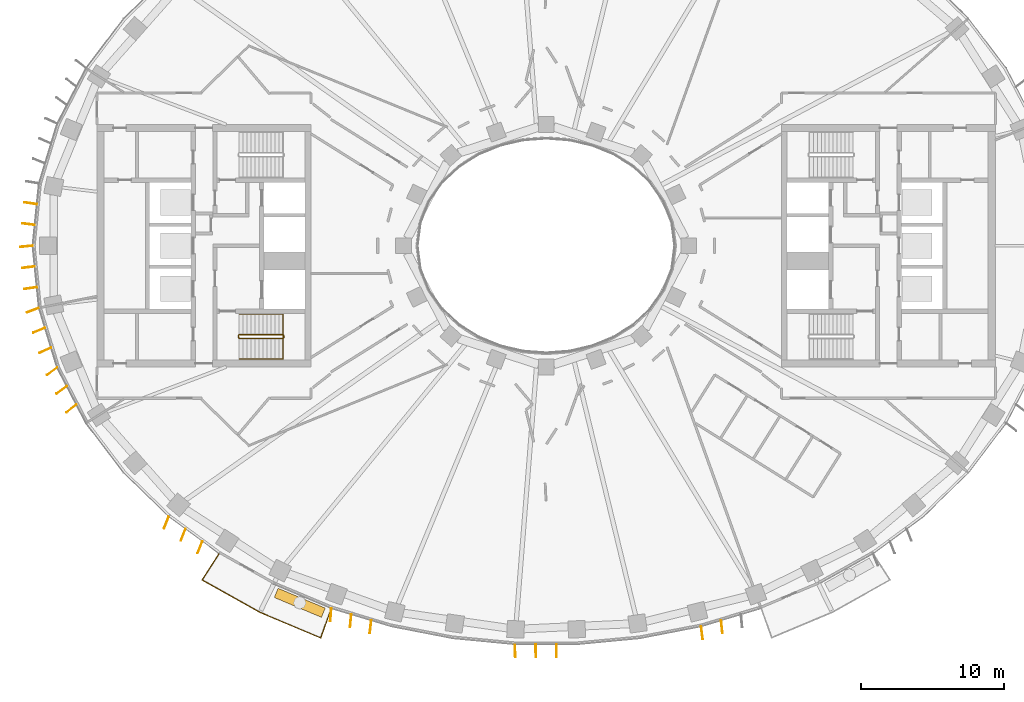
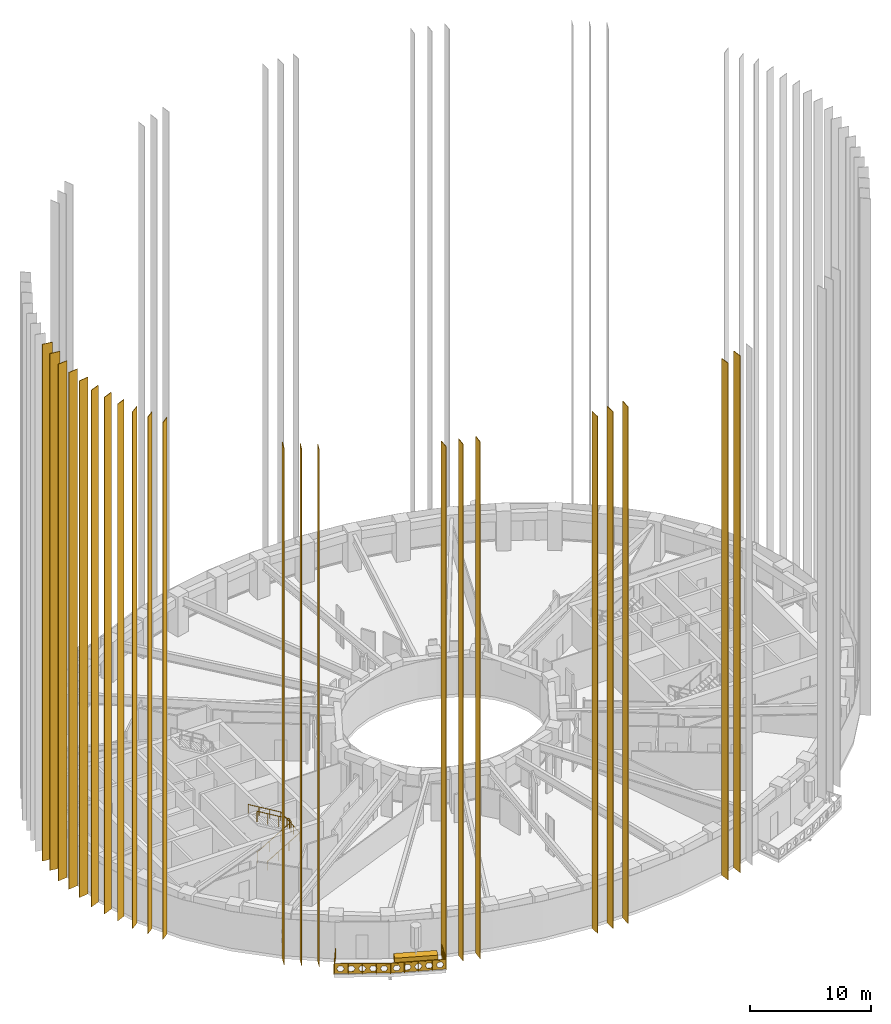
# One storey, part 14 of 19: 23 coverings, 3 railings.
"""IFC4 building model written with IfcOpenShell, lengths in metres."""

from ifc_helpers import new_model, si_unit, direction, frame, origin, origin_2d, place, context, subcontext, project, spatial, polyline, rectangle, outline, extrude, material, material_profile, profile_set, type_object, element, save


model = new_model("IFC4")

# Units and contexts
model_context = context("Model", 3, precision=1e-05, world=origin(), true_north=direction((0.0, 1.0)))
body_context = subcontext(model_context, "Body", "Model", "MODEL_VIEW")
ifc_project = project(units=[si_unit("LENGTHUNIT", "METRE"), si_unit("AREAUNIT", "SQUARE_METRE"), si_unit("VOLUMEUNIT", "CUBIC_METRE"), si_unit("PLANEANGLEUNIT", "RADIAN"), si_unit("MASSUNIT", "GRAM", prefix="KILO")], contexts=[model_context])

# Site, building, storey
site_placement = place(None, origin())
site = spatial("IfcSite", under=ifc_project, at=site_placement, CompositionType="ELEMENT")
building_placement = place(site_placement, origin())
building = spatial("IfcBuilding", under=site, at=building_placement, Name="Noorbagh Ring Tower", CompositionType="ELEMENT")
storey_placement = place(building_placement, frame((0.0, 0.0, 146.0)))
storey = spatial("IfcBuildingStorey", under=building, at=storey_placement, Name="L33", CompositionType="ELEMENT", Elevation=146.0)

# Railings
ifc_material_1 = material(Name="Stainless steel", Category="steel")
railing_type_1 = type_object("IfcRailingType", Name="CORE-STAIR-GUARD", PredefinedType="GUARDRAIL", material=ifc_material_1)
railing_1_placement = place(storey_placement, frame((-21.580078125, -6.449951171875, 0.0)))
element("IfcRailing", 1, at=railing_1_placement, inside=storey, type_object=railing_type_1, Name="L33 ST2 stair guard", PredefinedType="GUARDRAIL", context=body_context, shape_type="SweptSolid", body=[
    extrude(rectangle(XDim=0.048095703125, YDim=0.048095703125, at=origin_2d()), frame((0.0, 0.0, 1.076171875), z_axis=(0.0, 1.0, 0.0), x_axis=(-1.0, 0.0, 0.0)), (0.0, 0.0, 1.0), 0.14990234375),
    extrude(rectangle(XDim=0.048095703125, YDim=0.048095703125, at=origin_2d()), frame((0.0, 0.14990234375, 1.076171875), z_axis=(0.188775798145, -0.754182335027, 0.628945707965), x_axis=(0.970072785993, 0.242814311512, 0.0)), (0.0, 0.0, 1.0), 0.26513671875),
    extrude(rectangle(XDim=0.048095703125, YDim=0.048095703125, at=origin_2d()), frame((0.050048828125, -0.050048828125, 1.24267578125), z_axis=(0.859308565015, 0.0, 0.511457515432), x_axis=(0.0, 1.0, 0.0)), (0.0, 0.0, 1.0), 3.58447265625),
    extrude(rectangle(XDim=0.048095703125, YDim=0.048095703125, at=origin_2d()), frame((3.130126953125, -0.050048828125, 3.076171875), z_axis=(0.707106781187, 0.707106781187, 0.0), x_axis=(-0.707106781187, 0.707106781187, 0.0)), (0.0, 0.0, 1.0), 0.07080078125),
    extrude(rectangle(XDim=0.048095703125, YDim=0.048095703125, at=origin_2d()), frame((3.18017578125, 0.0, 3.076171875), z_axis=(0.0, 1.0, 0.0), x_axis=(-1.0, 0.0, 0.0)), (0.0, 0.0, 1.0), 0.14990234375),
    extrude(rectangle(XDim=0.048095703125, YDim=0.048095703125, at=origin_2d()), frame((3.18017578125, 0.14990234375, 3.076171875), z_axis=(-0.27628659633, 0.27628659633, 0.920506074601), x_axis=(-0.707106781187, -0.707106781187, 0.0)), (0.0, 0.0, 1.0), 0.18115234375),
    extrude(rectangle(XDim=0.048095703125, YDim=0.048095703125, at=origin_2d()), frame((3.130126953125, 0.199951171875, 3.24267578125), z_axis=(-0.859308565015, 0.0, 0.511457515432), x_axis=(0.0, -1.0, 0.0)), (0.0, 0.0, 1.0), 3.58447265625),
    extrude(rectangle(XDim=0.0419921875, YDim=0.0419921875, at=origin_2d()), origin(), (0.0, 0.0, 1.0), 1.052001953125),
    extrude(rectangle(XDim=0.0419921875, YDim=0.0419921875, at=origin_2d()), frame((1.07666015625, -0.050048828125, 0.77783203125)), (0.0, 0.0, 1.0), 1.052001953125),
    extrude(rectangle(XDim=0.0419921875, YDim=0.0419921875, at=origin_2d()), frame((2.103515625, -0.050048828125, 1.388916015625)), (0.0, 0.0, 1.0), 1.052001953125),
    extrude(rectangle(XDim=0.0419921875, YDim=0.0419921875, at=origin_2d()), frame((3.130126953125, -0.050048828125, 2.0)), (0.0, 0.0, 1.0), 1.052001953125),
    extrude(rectangle(XDim=0.0419921875, YDim=0.0419921875, at=origin_2d()), frame((3.130126953125, 0.199951171875, 2.166748046875)), (0.0, 0.0, 1.0), 1.052001953125),
    extrude(rectangle(XDim=0.0419921875, YDim=0.0419921875, at=origin_2d()), frame((2.103515625, 0.199951171875, 2.77783203125)), (0.0, 0.0, 1.0), 1.052001953125),
    extrude(rectangle(XDim=0.0419921875, YDim=0.0419921875, at=origin_2d()), frame((1.07666015625, 0.199951171875, 3.388916015625)), (0.0, 0.0, 1.0), 1.052001953125),
    extrude(rectangle(XDim=0.0419921875, YDim=0.0419921875, at=origin_2d()), frame((0.050048828125, 0.199951171875, 4.0)), (0.0, 0.0, 1.0), 1.052001953125),
])
ifc_material_2 = material(Name="Stainless steel", Category="steel")
railing_type_2 = type_object("IfcRailingType", Name="CORE-STAIR-HANDRAIL", PredefinedType="HANDRAIL", material=ifc_material_2)
railing_2_placement = place(storey_placement, frame((-21.530029296875, -7.949951171875, 0.166748046875)))
element("IfcRailing", 2, at=railing_2_placement, inside=storey, type_object=railing_type_2, Name="L33 ST2 stair handrail", PredefinedType="HANDRAIL", context=body_context, shape_type="SweptSolid", body=[
    extrude(rectangle(XDim=0.048095703125, YDim=0.048095703125, at=origin_2d()), frame((0.0, 0.0, 0.8759765625), z_axis=(0.859308565015, 0.0, 0.511457515432), x_axis=(0.0, 1.0, 0.0)), (0.0, 0.0, 1.0), 3.58447265625),
    extrude(rectangle(XDim=0.048095703125, YDim=0.048095703125, at=origin_2d()), frame((3.080078125, 0.0, 2.708984375), z_axis=(0.0, 0.998601747152, 0.052863509014), x_axis=(-1.0, 0.0, 0.0)), (0.0, 0.0, 1.0), 3.154296875),
    extrude(rectangle(XDim=0.048095703125, YDim=0.048095703125, at=origin_2d()), frame((3.080078125, 3.14990234375, 2.8759765625), z_axis=(-0.859308565015, 0.0, 0.511457515432), x_axis=(0.0, -1.0, 0.0)), (0.0, 0.0, 1.0), 3.58447265625),
    extrude(rectangle(XDim=0.0419921875, YDim=0.0419921875, at=origin_2d()), origin(), (0.0, 0.0, 1.0), 0.851806640625),
    extrude(rectangle(XDim=0.0419921875, YDim=0.0419921875, at=origin_2d()), frame((1.026611328125, 0.0, 0.611083984375)), (0.0, 0.0, 1.0), 0.851806640625),
    extrude(rectangle(XDim=0.0419921875, YDim=0.0419921875, at=origin_2d()), frame((2.053466796875, 0.0, 1.22216796875)), (0.0, 0.0, 1.0), 0.851806640625),
    extrude(rectangle(XDim=0.0419921875, YDim=0.0419921875, at=origin_2d()), frame((3.080078125, 0.0, 1.833251953125)), (0.0, 0.0, 1.0), 0.851806640625),
    extrude(rectangle(XDim=0.0419921875, YDim=0.0419921875, at=origin_2d()), frame((3.080078125, 1.050048828125, 1.888916015625)), (0.0, 0.0, 1.0), 0.851806640625),
    extrude(rectangle(XDim=0.0419921875, YDim=0.0419921875, at=origin_2d()), frame((3.080078125, 2.099853515625, 1.9443359375)), (0.0, 0.0, 1.0), 0.851806640625),
    extrude(rectangle(XDim=0.0419921875, YDim=0.0419921875, at=origin_2d()), frame((3.080078125, 3.14990234375, 2.0)), (0.0, 0.0, 1.0), 0.851806640625),
    extrude(rectangle(XDim=0.0419921875, YDim=0.0419921875, at=origin_2d()), frame((2.053466796875, 3.14990234375, 2.611083984375)), (0.0, 0.0, 1.0), 0.851806640625),
    extrude(rectangle(XDim=0.0419921875, YDim=0.0419921875, at=origin_2d()), frame((1.026611328125, 3.14990234375, 3.22216796875)), (0.0, 0.0, 1.0), 0.851806640625),
    extrude(rectangle(XDim=0.0419921875, YDim=0.0419921875, at=origin_2d()), frame((0.0, 3.14990234375, 3.833251953125)), (0.0, 0.0, 1.0), 0.851806640625),
])

# Coverings
ifc_material_3 = material(Name="Aluminium 6063-T6 black anodised", Category="aluminium")
ifc_material_profile = material_profile(ifc_material_3, rectangle(XDim=0.89990234375, YDim=0.050048828125, at=origin_2d()), Name="900x50")
ifc_profile_set = profile_set([ifc_material_profile], Name="Aluminium 6063-T6 black anodised")
covering_type_1 = type_object("IfcCoveringType", Name="ENV-FIN", PredefinedType="CLADDING", material=ifc_profile_set)
for number, where, z_axis, x_axis, name in (
    (3, (-36.154296875, 2.97216796875, -0.284912109375), (0.0, 0.0, 1.0), (-0.989102941421, 0.147225579543, 0.0), "Fin F23 2 L33-L45"),
    (4, (-36.30126953125, 1.5087890625, -0.284912109375), (0.0, 0.0, 1.0), (-0.992302876732, 0.12383457041, 0.0), "Fin F23 3 L33-L45"),
    (5, (-36.4482421875, -0.045166015625, -0.284912109375), (0.0, 0.0, 1.0), (-0.994969504864, -0.100178263068, 0.0), "Fin F24 1 L33-L45"),
    (6, (-36.30126953125, -1.5087890625, -0.284912109375), (0.0, 0.0, 1.0), (-0.992302876732, -0.12383457041, 0.0), "Fin F24 2 L33-L45"),
    (7, (-36.154296875, -2.97216796875, -0.284912109375), (0.0, 0.0, 1.0), (-0.989102941421, -0.147225579543, 0.0), "Fin F24 3 L33-L45"),
    (8, (-35.9833984375, -4.520751953125, -0.284912109375), (0.0, 0.0, 1.0), (-0.933362145395, -0.358936074453, 0.0), "Fin F25 1 L33-L45"),
    (9, (-35.553466796875, -5.92724609375, -0.284912109375), (0.0, 0.0, 1.0), (-0.925000661941, -0.379965492392, 0.0), "Fin F25 2 L33-L45"),
    (10, (-35.123291015625, -7.3330078125, -0.284912109375), (0.0, 0.0, 1.0), (-0.916474909008, -0.40009216583, 0.0), "Fin F25 3 L33-L45"),
    (11, (-34.651611328125, -8.810791015625, -0.284912109375), (0.0, 0.0, 1.0), (-0.815855460993, -0.57825588347, 0.0), "Fin F26 1 L33-L45"),
    (12, (-33.9716796875, -10.113525390625, -0.284912109375), (0.0, 0.0, 1.0), (-0.804260303023, -0.59427717858, 0.0), "Fin F26 2 L33-L45"),
    (13, (-33.291748046875, -11.415771484375, -0.284912109375), (0.0, 0.0, 1.0), (-0.793137535147, -0.609042568579, 0.0), "Fin F26 3 L33-L45"),
    (14, (-26.633544921875, -19.406982421875, -0.284912109375), (0.0, 0.0, 1.0), (-0.36956351025, -0.929205473451, 0.0), "Fin F29 1 L33-L45"),
    (15, (-25.455078125, -20.2744140625, -0.284912109375), (0.0, 0.0, 1.0), (-0.366046969104, -0.930596376745, 0.0), "Fin F29 2 L33-L45"),
    (16, (-24.277587890625, -21.1416015625, -0.284912109375), (0.0, 0.0, 1.0), (-0.364533046139, -0.931190452202, 0.0), "Fin F29 3 L33-L45"),
    (17, (-15.102294921875, -25.884521484375, -0.284912109375), (0.0, 0.0, 1.0), (-0.078357246483, -0.996925344208, 0.0), "Fin F32 1 L33-L45"),
    (18, (-13.708740234375, -26.304931640625, -0.284912109375), (0.0, 0.0, 1.0), (-0.092918421481, -0.995673725148, 0.0), "Fin F32 2 L33-L45"),
    (19, (-12.31591796875, -26.72509765625, -0.284912109375), (0.0, 0.0, 1.0), (-0.109101232004, -0.994030643982, 0.0), "Fin F32 3 L33-L45"),
    (20, (-2.17724609375, -28.399169921875, -0.284912109375), (0.0, 0.0, 1.0), (0.035640795498, -0.999364665023, 0.0), "Fin F35 1 L33-L45"),
    (21, (-0.7255859375, -28.398681640625, -0.284912109375), (0.0, 0.0, 1.0), (0.011915412219, -0.999929008956, 0.0), "Fin F35 2 L33-L45"),
    (22, (0.7255859375, -28.398681640625, -0.284912109375), (0.0, 0.0, 1.0), (-0.011915412219, -0.999929008956, 0.0), "Fin F35 3 L33-L45"),
    (23, (10.923583984375, -27.14501953125, -0.284912109375), (0.0, 0.0, 1.0), (0.126759493419, -0.99193348105, 0.0), "Fin F38 1 L33-L45"),
    (24, (12.31591796875, -26.72509765625, -0.284912109375), (0.0, 0.0, 1.0), (0.109101232004, -0.994030643982, 0.0), "Fin F38 2 L33-L45"),
):
    element("IfcCovering", number, at=place(storey_placement, frame(where, z_axis=z_axis, x_axis=x_axis)), inside=storey, type_object=covering_type_1, Name=name, ObjectType="FIN", PredefinedType="CLADDING", context=body_context, shape_type="SweptSolid", body=[
        extrude(rectangle(XDim=0.89990234375, YDim=0.050048828125, at=origin_2d()), origin(), (0.0, 0.0, 1.0), 51.969970703125),
    ])

# Railing
ifc_material_4 = material(Name="Steel S275 black powder-coated", Category="steel")
railing_type_3 = type_object("IfcRailingType", Name="ENV-GUARD", PredefinedType="GUARDRAIL", material=ifc_material_4)
railing_3_placement = place(storey_placement, frame((-22.9326171875, -21.583740234375, 0.0)))
element("IfcRailing", 25, at=railing_3_placement, inside=storey, type_object=railing_type_3, Name="Balcony guard BS02", PredefinedType="GUARDRAIL", context=body_context, shape_type="SweptSolid", body=[
    extrude(rectangle(XDim=0.048095703125, YDim=0.048095703125, at=origin_2d()), frame((0.0, 0.0, 1.076171875), z_axis=(-0.542268136821, -0.840205491406, 0.0), x_axis=(0.840205491406, -0.542268136821, 0.0)), (0.0, 0.0, 1.0), 2.204345703125),
    extrude(rectangle(XDim=0.048095703125, YDim=0.048095703125, at=origin_2d()), frame((-1.1953125, -1.85205078125, 1.076171875), z_axis=(0.872052247658, -0.489412788303, 0.0), x_axis=(0.489412788303, 0.872052247658, 0.0)), (0.0, 0.0, 1.0), 4.646240234375),
    extrude(rectangle(XDim=0.048095703125, YDim=0.048095703125, at=origin_2d()), frame((2.8564453125, -4.1259765625, 1.076171875), z_axis=(0.921809087722, -0.387644174203, 0.0), x_axis=(0.387644174203, 0.921809087722, 0.0)), (0.0, 0.0, 1.0), 4.627197265625),
    extrude(rectangle(XDim=0.048095703125, YDim=0.048095703125, at=origin_2d()), frame((7.121826171875, -5.919677734375, 1.076171875), z_axis=(0.338350546839, 0.941020141896, 0.0), x_axis=(-0.941020141896, 0.338350546839, 0.0)), (0.0, 0.0, 1.0), 2.202880859375),
    extrude(rectangle(XDim=0.0419921875, YDim=0.0419921875, at=origin_2d()), origin(), (0.0, 0.0, 1.0), 1.052001953125),
    extrude(rectangle(XDim=0.0419921875, YDim=0.0419921875, at=origin_2d()), frame((-0.59765625, -0.926025390625, 0.0)), (0.0, 0.0, 1.0), 1.052001953125),
    extrude(rectangle(XDim=0.0419921875, YDim=0.0419921875, at=origin_2d()), frame((-1.1953125, -1.85205078125, 0.0)), (0.0, 0.0, 1.0), 1.052001953125),
    extrude(rectangle(XDim=0.0419921875, YDim=0.0419921875, at=origin_2d()), frame((-0.182373046875, -2.42041015625, 0.0)), (0.0, 0.0, 1.0), 1.052001953125),
    extrude(rectangle(XDim=0.0419921875, YDim=0.0419921875, at=origin_2d()), frame((0.83056640625, -2.989013671875, 0.0)), (0.0, 0.0, 1.0), 1.052001953125),
    extrude(rectangle(XDim=0.0419921875, YDim=0.0419921875, at=origin_2d()), frame((1.843505859375, -3.5576171875, 0.0)), (0.0, 0.0, 1.0), 1.052001953125),
    extrude(rectangle(XDim=0.0419921875, YDim=0.0419921875, at=origin_2d()), frame((2.8564453125, -4.1259765625, 0.0)), (0.0, 0.0, 1.0), 1.052001953125),
    extrude(rectangle(XDim=0.0419921875, YDim=0.0419921875, at=origin_2d()), frame((3.9228515625, -4.574462890625, 0.0)), (0.0, 0.0, 1.0), 1.052001953125),
    extrude(rectangle(XDim=0.0419921875, YDim=0.0419921875, at=origin_2d()), frame((4.9892578125, -5.02294921875, 0.0)), (0.0, 0.0, 1.0), 1.052001953125),
    extrude(rectangle(XDim=0.0419921875, YDim=0.0419921875, at=origin_2d()), frame((6.055419921875, -5.47119140625, 0.0)), (0.0, 0.0, 1.0), 1.052001953125),
    extrude(rectangle(XDim=0.0419921875, YDim=0.0419921875, at=origin_2d()), frame((7.121826171875, -5.919677734375, 0.0)), (0.0, 0.0, 1.0), 1.052001953125),
    extrude(rectangle(XDim=0.0419921875, YDim=0.0419921875, at=origin_2d()), frame((7.49462890625, -4.88330078125, 0.0)), (0.0, 0.0, 1.0), 1.052001953125),
    extrude(rectangle(XDim=0.0419921875, YDim=0.0419921875, at=origin_2d()), frame((7.8671875, -3.8466796875, 0.0)), (0.0, 0.0, 1.0), 1.052001953125),
    extrude(outline(polyline([(0.0, 0.10009765625), (2.204345703125, 0.10009765625), (2.204345703125, 1.031982421875), (0.0, 1.031982421875), (0.0, 0.10009765625)]), holes=[polyline([(0.962158203125, 0.56591796875), (0.80712890625, 0.83447265625), (0.4970703125, 0.83447265625), (0.342041015625, 0.56591796875), (0.4970703125, 0.297607421875), (0.80712890625, 0.297607421875), (0.962158203125, 0.56591796875)]), polyline([(1.862060546875, 0.56591796875), (1.70703125, 0.83447265625), (1.397216796875, 0.83447265625), (1.2421875, 0.56591796875), (1.397216796875, 0.297607421875), (1.70703125, 0.297607421875), (1.862060546875, 0.56591796875)])]), frame((0.00830078125, -0.00537109375, 0.0), z_axis=(-0.840205491406, 0.542268136821, 0.0), x_axis=(-0.542268136821, -0.840205491406, 0.0)), (0.0, 0.0, 1.0), 0.02001953125),
    extrude(outline(polyline([(0.0, 0.10009765625), (4.646240234375, 0.10009765625), (4.646240234375, 1.031982421875), (0.0, 1.031982421875), (0.0, 0.10009765625)]), holes=[polyline([(0.8330078125, 0.56591796875), (0.67822265625, 0.83447265625), (0.3681640625, 0.83447265625), (0.213134765625, 0.56591796875), (0.3681640625, 0.297607421875), (0.67822265625, 0.297607421875), (0.8330078125, 0.56591796875)]), polyline([(1.733154296875, 0.56591796875), (1.578125, 0.83447265625), (1.26806640625, 0.83447265625), (1.113037109375, 0.56591796875), (1.26806640625, 0.297607421875), (1.578125, 0.297607421875), (1.733154296875, 0.56591796875)]), polyline([(2.633056640625, 0.56591796875), (2.47802734375, 0.83447265625), (2.168212890625, 0.83447265625), (2.01318359375, 0.56591796875), (2.168212890625, 0.297607421875), (2.47802734375, 0.297607421875), (2.633056640625, 0.56591796875)]), polyline([(3.533203125, 0.56591796875), (3.378173828125, 0.83447265625), (3.068115234375, 0.83447265625), (2.9130859375, 0.56591796875), (3.068115234375, 0.297607421875), (3.378173828125, 0.297607421875), (3.533203125, 0.56591796875)]), polyline([(4.43310546875, 0.56591796875), (4.278076171875, 0.83447265625), (3.968017578125, 0.83447265625), (3.813232421875, 0.56591796875), (3.968017578125, 0.297607421875), (4.278076171875, 0.297607421875), (4.43310546875, 0.56591796875)])]), frame((-1.1904296875, -1.84326171875, 0.0), z_axis=(-0.489412788303, -0.872052247658, 0.0), x_axis=(0.872052247658, -0.489412788303, 0.0)), (0.0, 0.0, 1.0), 0.02001953125),
    extrude(outline(polyline([(0.0, 0.10009765625), (4.627197265625, 0.10009765625), (4.627197265625, 1.031982421875), (0.0, 1.031982421875), (0.0, 0.10009765625)]), holes=[polyline([(0.823486328125, 0.56591796875), (0.668701171875, 0.83447265625), (0.358642578125, 0.83447265625), (0.20361328125, 0.56591796875), (0.358642578125, 0.297607421875), (0.668701171875, 0.297607421875), (0.823486328125, 0.56591796875)]), polyline([(1.7236328125, 0.56591796875), (1.568603515625, 0.83447265625), (1.258544921875, 0.83447265625), (1.103515625, 0.56591796875), (1.258544921875, 0.297607421875), (1.568603515625, 0.297607421875), (1.7236328125, 0.56591796875)]), polyline([(2.62353515625, 0.56591796875), (2.468505859375, 0.83447265625), (2.15869140625, 0.83447265625), (2.003662109375, 0.56591796875), (2.15869140625, 0.297607421875), (2.468505859375, 0.297607421875), (2.62353515625, 0.56591796875)]), polyline([(3.523681640625, 0.56591796875), (3.36865234375, 0.83447265625), (3.05859375, 0.83447265625), (2.903564453125, 0.56591796875), (3.05859375, 0.297607421875), (3.36865234375, 0.297607421875), (3.523681640625, 0.56591796875)]), polyline([(4.423583984375, 0.56591796875), (4.2685546875, 0.83447265625), (3.95849609375, 0.83447265625), (3.8037109375, 0.56591796875), (3.95849609375, 0.297607421875), (4.2685546875, 0.297607421875), (4.423583984375, 0.56591796875)])]), frame((2.8603515625, -4.11669921875, 0.0), z_axis=(-0.387644174203, -0.921809087722, 0.0), x_axis=(0.921809087722, -0.387644174203, 0.0)), (0.0, 0.0, 1.0), 0.02001953125),
    extrude(outline(polyline([(0.0, 0.10009765625), (2.202880859375, 0.10009765625), (2.202880859375, 1.031982421875), (0.0, 1.031982421875), (0.0, 0.10009765625)]), holes=[polyline([(0.96142578125, 0.56591796875), (0.806396484375, 0.83447265625), (0.49658203125, 0.83447265625), (0.341552734375, 0.56591796875), (0.49658203125, 0.297607421875), (0.806396484375, 0.297607421875), (0.96142578125, 0.56591796875)]), polyline([(1.861572265625, 0.56591796875), (1.70654296875, 0.83447265625), (1.396484375, 0.83447265625), (1.241455078125, 0.56591796875), (1.396484375, 0.297607421875), (1.70654296875, 0.297607421875), (1.861572265625, 0.56591796875)])]), frame((7.1123046875, -5.916259765625, 0.0), z_axis=(0.941020141896, -0.338350546839, 0.0), x_axis=(0.338350546839, 0.941020141896, 0.0)), (0.0, 0.0, 1.0), 0.02001953125),
])

# Covering
ifc_material_5 = material(Name="Concrete C30/37 planter with soil", Category="concrete")
covering_type_2 = type_object("IfcCoveringType", Name="ENV-PLANTER", PredefinedType="CLADDING", material=ifc_material_5)
covering_placement = place(storey_placement, frame((-17.280517578125, -25.041259765625, 0.0), z_axis=(0.0, 0.0, 1.0), x_axis=(0.921811566494, -0.387638279686, 0.0)))
element("IfcCovering", 26, at=covering_placement, inside=storey, type_object=covering_type_2, Name="PLANTER BS02", ObjectType="PLANTER", PredefinedType="CLADDING", context=body_context, shape_type="SweptSolid", body=[
    extrude(rectangle(XDim=3.5859375, YDim=0.699951171875, at=origin_2d()), origin(), (0.0, 0.0, 1.0), 0.60009765625),
])

save(model, "model.ifc")
